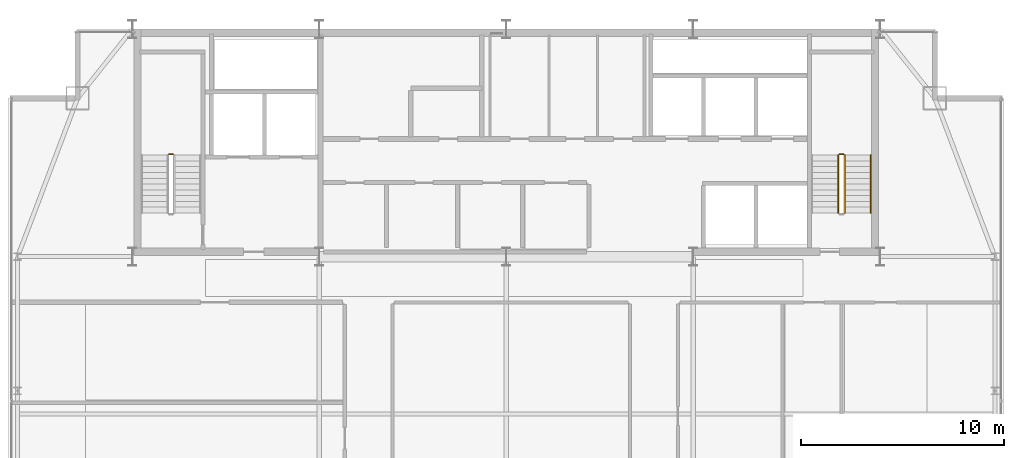
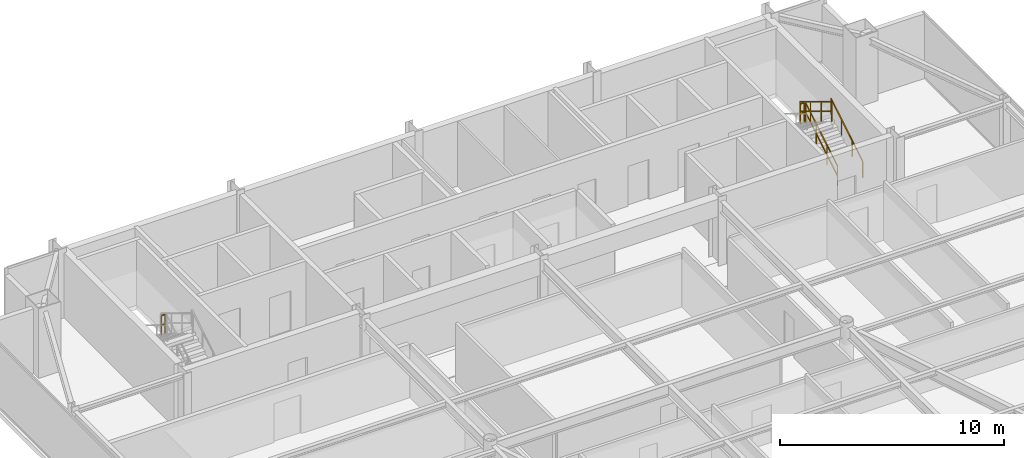
# One storey, part 30 of 30: 5 railings.
"""IFC4 building model written with IfcOpenShell, lengths in metres."""

from ifc_helpers import new_model, si_unit, direction, frame, origin, origin_2d, place, context, subcontext, project, spatial, rectangle, extrude, material, type_object, element, save


model = new_model("IFC4")

# Units and contexts
model_context = context("Model", 3, precision=1e-05, world=origin(), true_north=direction((0.0, 1.0)))
body_context = subcontext(model_context, "Body", "Model", "MODEL_VIEW")
ifc_project = project(units=[si_unit("LENGTHUNIT", "METRE"), si_unit("AREAUNIT", "SQUARE_METRE"), si_unit("VOLUMEUNIT", "CUBIC_METRE"), si_unit("PLANEANGLEUNIT", "RADIAN"), si_unit("MASSUNIT", "GRAM", prefix="KILO")], contexts=[model_context])

# Site, building, storey
site_placement = place(None, origin())
site = spatial("IfcSite", under=ifc_project, at=site_placement, CompositionType="ELEMENT")
building_placement = place(site_placement, origin())
building = spatial("IfcBuilding", under=site, at=building_placement, Name="Varnel Quay Broadcast Tower", CompositionType="ELEMENT")
storey_placement = place(building_placement, frame((0.0, 0.0, 247.0)))
storey = spatial("IfcBuildingStorey", under=building, at=storey_placement, Name="L61", CompositionType="ELEMENT", Elevation=247.0)

# Railings
ifc_material = material(Name="Painted Steel Guard and Handrail CSA G40.21 350W", Category="steel")
railing_type_1 = type_object("IfcRailingType", Name="Rail_StairGuard1100", PredefinedType="GUARDRAIL", material=ifc_material)
railing_1_placement = place(storey_placement, frame((17.60009765625, 40.64990234375, 1.89990234375)))
element("IfcRailing", 1, at=railing_1_placement, inside=storey, type_object=railing_type_1, Name="L61 ST-01 stair guard 2", PredefinedType="GUARDRAIL", context=body_context, shape_type="SweptSolid", body=[
    extrude(rectangle(XDim=0.048095703125, YDim=0.048095703125, at=origin_2d()), frame((0.0, 0.0, 1.076171875), z_axis=(-1.0, 0.0, 0.0), x_axis=(0.0, -1.0, 0.0)), (0.0, 0.0, 1.0), 0.2001953125),
    extrude(rectangle(XDim=0.048095703125, YDim=0.048095703125, at=origin_2d()), frame((0.0, 0.0, 0.550048828125), z_axis=(-1.0, 0.0, 0.0), x_axis=(0.0, -1.0, 0.0)), (0.0, 0.0, 1.0), 0.2001953125),
    extrude(rectangle(XDim=0.0419921875, YDim=0.0419921875, at=origin_2d()), origin(), (0.0, 0.0, 1.0), 1.052001953125),
    extrude(rectangle(XDim=0.0419921875, YDim=0.0419921875, at=origin_2d()), frame((-0.2001953125, 0.0, 0.0)), (0.0, 0.0, 1.0), 1.052001953125),
])
railing_2_placement = place(storey_placement, frame((50.64990234375, 37.75, 0.172607421875)))
element("IfcRailing", 2, at=railing_2_placement, inside=storey, type_object=railing_type_1, Name="L61 ST-02 stair guard 1", PredefinedType="GUARDRAIL", context=body_context, shape_type="SweptSolid", body=[
    extrude(rectangle(XDim=0.048095703125, YDim=0.048095703125, at=origin_2d()), frame((0.0, 0.0, 1.076171875), z_axis=(0.0, 0.855202751398, 0.518293598264), x_axis=(-1.0, 0.0, 0.0)), (0.0, 0.0, 1.0), 3.332763671875),
    extrude(rectangle(XDim=0.048095703125, YDim=0.048095703125, at=origin_2d()), frame((0.0, 0.0, 0.550048828125), z_axis=(0.0, 0.855202751398, 0.518293598264), x_axis=(-1.0, 0.0, 0.0)), (0.0, 0.0, 1.0), 3.332763671875),
    extrude(rectangle(XDim=0.0419921875, YDim=0.0419921875, at=origin_2d()), origin(), (0.0, 0.0, 1.0), 1.052001953125),
    extrude(rectangle(XDim=0.0419921875, YDim=0.0419921875, at=origin_2d()), frame((0.0, 0.949951171875, 0.57568359375)), (0.0, 0.0, 1.0), 1.052001953125),
    extrude(rectangle(XDim=0.0419921875, YDim=0.0419921875, at=origin_2d()), frame((0.0, 1.900146484375, 1.151611328125)), (0.0, 0.0, 1.0), 1.052001953125),
    extrude(rectangle(XDim=0.0419921875, YDim=0.0419921875, at=origin_2d()), frame((0.0, 2.85009765625, 1.727294921875)), (0.0, 0.0, 1.0), 1.052001953125),
])
railing_3_placement = place(storey_placement, frame((50.60009765625, 40.64990234375, 1.89990234375)))
element("IfcRailing", 3, at=railing_3_placement, inside=storey, type_object=railing_type_1, Name="L61 ST-02 stair guard 2", PredefinedType="GUARDRAIL", context=body_context, shape_type="SweptSolid", body=[
    extrude(rectangle(XDim=0.048095703125, YDim=0.048095703125, at=origin_2d()), frame((0.0, 0.0, 1.076171875), z_axis=(-1.0, 0.0, 0.0), x_axis=(0.0, -1.0, 0.0)), (0.0, 0.0, 1.0), 0.2001953125),
    extrude(rectangle(XDim=0.048095703125, YDim=0.048095703125, at=origin_2d()), frame((0.0, 0.0, 0.550048828125), z_axis=(-1.0, 0.0, 0.0), x_axis=(0.0, -1.0, 0.0)), (0.0, 0.0, 1.0), 0.2001953125),
    extrude(rectangle(XDim=0.0419921875, YDim=0.0419921875, at=origin_2d()), origin(), (0.0, 0.0, 1.0), 1.052001953125),
    extrude(rectangle(XDim=0.0419921875, YDim=0.0419921875, at=origin_2d()), frame((-0.2001953125, 0.0, 0.0)), (0.0, 0.0, 1.0), 1.052001953125),
])
railing_4_placement = place(storey_placement, frame((50.35009765625, 40.60009765625, 2.07275390625)))
element("IfcRailing", 4, at=railing_4_placement, inside=storey, type_object=railing_type_1, Name="L61 ST-02 stair guard 3", PredefinedType="GUARDRAIL", context=body_context, shape_type="SweptSolid", body=[
    extrude(rectangle(XDim=0.048095703125, YDim=0.048095703125, at=origin_2d()), frame((0.0, 0.0, 1.076171875), z_axis=(0.0, -0.855202751398, 0.518293598264), x_axis=(1.0, 0.0, 0.0)), (0.0, 0.0, 1.0), 3.332763671875),
    extrude(rectangle(XDim=0.048095703125, YDim=0.048095703125, at=origin_2d()), frame((0.0, 0.0, 0.550048828125), z_axis=(0.0, -0.855202751398, 0.518293598264), x_axis=(1.0, 0.0, 0.0)), (0.0, 0.0, 1.0), 3.332763671875),
    extrude(rectangle(XDim=0.0419921875, YDim=0.0419921875, at=origin_2d()), origin(), (0.0, 0.0, 1.0), 1.052001953125),
    extrude(rectangle(XDim=0.0419921875, YDim=0.0419921875, at=origin_2d()), frame((0.0, -0.949951171875, 0.57568359375)), (0.0, 0.0, 1.0), 1.052001953125),
    extrude(rectangle(XDim=0.0419921875, YDim=0.0419921875, at=origin_2d()), frame((0.0, -1.900146484375, 1.151611328125)), (0.0, 0.0, 1.0), 1.052001953125),
    extrude(rectangle(XDim=0.0419921875, YDim=0.0419921875, at=origin_2d()), frame((0.0, -2.85009765625, 1.727294921875)), (0.0, 0.0, 1.0), 1.052001953125),
])
railing_type_2 = type_object("IfcRailingType", Name="Rail_StairHandrail900", PredefinedType="HANDRAIL", material=ifc_material)
railing_5_placement = place(storey_placement, frame((51.949951171875, 37.75, 0.172607421875)))
element("IfcRailing", 5, at=railing_5_placement, inside=storey, type_object=railing_type_2, Name="L61 ST-02 stair handrail 1", PredefinedType="HANDRAIL", context=body_context, shape_type="SweptSolid", body=[
    extrude(rectangle(XDim=0.048095703125, YDim=0.048095703125, at=origin_2d()), frame((0.0, 0.0, 0.8759765625), z_axis=(0.0, 0.855202751398, 0.518293598264), x_axis=(-1.0, 0.0, 0.0)), (0.0, 0.0, 1.0), 3.332763671875),
    extrude(rectangle(XDim=0.0419921875, YDim=0.0419921875, at=origin_2d()), origin(), (0.0, 0.0, 1.0), 0.851806640625),
    extrude(rectangle(XDim=0.0419921875, YDim=0.0419921875, at=origin_2d()), frame((0.0, 0.949951171875, 0.57568359375)), (0.0, 0.0, 1.0), 0.851806640625),
    extrude(rectangle(XDim=0.0419921875, YDim=0.0419921875, at=origin_2d()), frame((0.0, 1.900146484375, 1.151611328125)), (0.0, 0.0, 1.0), 0.851806640625),
    extrude(rectangle(XDim=0.0419921875, YDim=0.0419921875, at=origin_2d()), frame((0.0, 2.85009765625, 1.727294921875)), (0.0, 0.0, 1.0), 0.851806640625),
])

save(model, "model.ifc")
